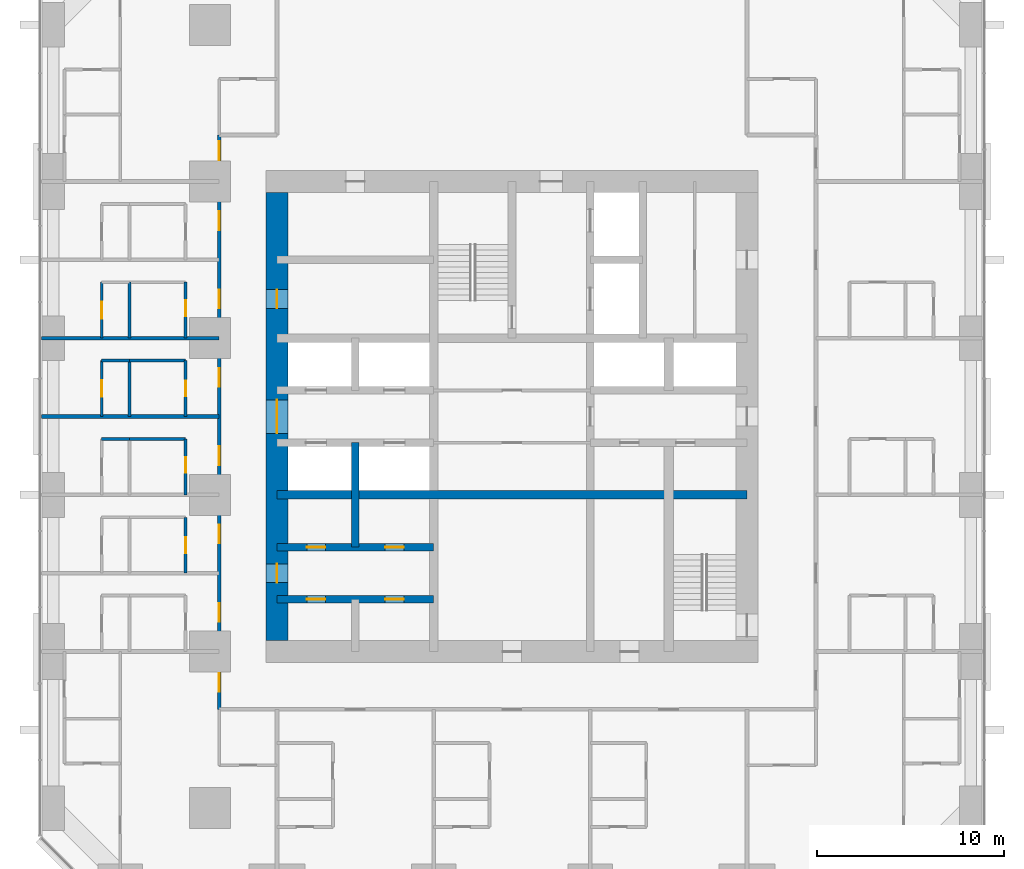
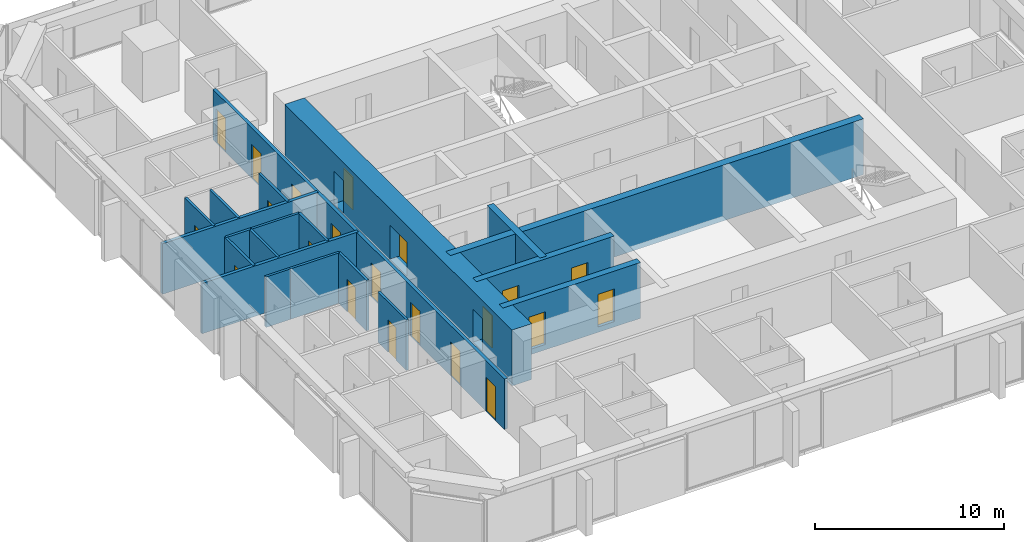
# One storey, part 9 of 13: 21 doors, 20 walls, 21 openings.
"""IFC4 building model written with IfcOpenShell, lengths in metres."""

from ifc_helpers import new_model, si_unit, direction, frame, frame_2d, origin, place, context, subcontext, project, spatial, rectangle, extrude, material, layer, layer_set, type_object, element, fill, save


model = new_model("IFC4")

# Units and contexts
model_context = context("Model", 3, precision=1e-05, world=origin(), true_north=direction((0.0, 1.0)))
body_context = subcontext(model_context, "Body", "Model", "MODEL_VIEW")
ifc_project = project(units=[si_unit("LENGTHUNIT", "METRE"), si_unit("AREAUNIT", "SQUARE_METRE"), si_unit("VOLUMEUNIT", "CUBIC_METRE"), si_unit("PLANEANGLEUNIT", "RADIAN"), si_unit("MASSUNIT", "GRAM", prefix="KILO")], contexts=[model_context])

# Site, building, storey
site_placement = place(None, origin())
site = spatial("IfcSite", under=ifc_project, at=site_placement, CompositionType="ELEMENT")
building_placement = place(site_placement, origin())
building = spatial("IfcBuilding", under=site, at=building_placement, Name="Dunama Terrace Hotel", CompositionType="ELEMENT")
storey_placement = place(building_placement, frame((0.0, 0.0, 162.60009765625)))
storey = spatial("IfcBuildingStorey", under=building, at=storey_placement, Name="L41", CompositionType="ELEMENT", Elevation=162.60009765625)

# Wall, opening, door
ifc_material_1 = material(Name="Gypsum board partition", Category="masonry")
ifc_layer_1 = layer(ifc_material_1, 0.14990234375)
ifc_layer_set_1 = layer_set([ifc_layer_1], Name="Bathroom partition 150")
wall_type_1 = type_object("IfcWallType", Name="Bathroom partition 150", PredefinedType="PARTITIONING", material=ifc_layer_set_1)
wall_1_placement = place(storey_placement, frame((11.89990234375, 21.0, 0.0), z_axis=(0.0, 0.0, 1.0), x_axis=(0.0, 1.0, 0.0)))
wall_1 = element("IfcWall", 1, at=wall_1_placement, inside=storey, type_object=wall_type_1, Name="Bathroom partition 150 L41", PredefinedType="PARTITIONING", context=body_context, shape_type="SweptSolid", body=[
    extrude(rectangle(XDim=3.0, YDim=0.14990234375, at=frame_2d((1.5, 0.0))), origin(), (0.0, 0.0, 1.0), 3.25),
])
opening_1_placement = place(wall_1_placement, frame((1.074951171875, 0.0, 0.0)))
opening_1 = element("IfcOpeningElement", 2, at=opening_1_placement, cuts=wall_1, Name="Opening L41-031", PredefinedType="OPENING", context=body_context, shape_type="SweptSolid", body=[
    extrude(rectangle(XDim=0.85009765625, YDim=2.10009765625, at=frame_2d((0.425048828125, 1.050048828125))), frame((0.0, 0.0849609375, 0.0), z_axis=(0.0, -1.0, 0.0), x_axis=(1.0, 0.0, 0.0)), (0.0, 0.0, 1.0), 0.169921875),
])
ifc_material_2 = material(Name="Timber door with steel frame", Category="steel")
door_type_1 = type_object("IfcDoorType", Name="Bathroom door 850", OperationType="SINGLE_SWING_LEFT", PredefinedType="DOOR", material=ifc_material_2)
door_1_placement = place(opening_1_placement, origin())
door_1 = element("IfcDoor", 3, at=door_1_placement, inside=storey, type_object=door_type_1, Name="Door to en-suite bathroom L41-031, type D2", OperationType="SINGLE_SWING_LEFT", OverallHeight=2.10009765625, OverallWidth=0.85009765625, PredefinedType="DOOR", context=body_context, shape_type="SweptSolid", body=[
    extrude(rectangle(XDim=0.85009765625, YDim=2.10009765625, at=frame_2d((0.425048828125, 1.050048828125))), frame((0.0, 0.02490234375, 0.0), z_axis=(0.0, -1.0, 0.0), x_axis=(1.0, 0.0, 0.0)), (0.0, 0.0, 1.0), 0.050048828125),
])
fill(opening_1, door_1)

wall_2_placement = place(storey_placement, frame((11.89990234375, 25.199951171875, 0.0), z_axis=(0.0, 0.0, 1.0), x_axis=(0.0, 1.0, 0.0)))
wall_2 = element("IfcWall", 4, at=wall_2_placement, inside=storey, type_object=wall_type_1, Name="Bathroom partition 150 L41", PredefinedType="PARTITIONING", context=body_context, shape_type="SweptSolid", body=[
    extrude(rectangle(XDim=3.0, YDim=0.14990234375, at=frame_2d((1.5, 0.0))), origin(), (0.0, 0.0, 1.0), 3.25),
])
opening_2_placement = place(wall_2_placement, frame((1.175048828125, 0.0, 0.0)))
opening_2 = element("IfcOpeningElement", 5, at=opening_2_placement, cuts=wall_2, Name="Opening L41-034", PredefinedType="OPENING", context=body_context, shape_type="SweptSolid", body=[
    extrude(rectangle(XDim=0.85009765625, YDim=2.10009765625, at=frame_2d((0.425048828125, 1.050048828125))), frame((0.0, 0.0849609375, 0.0), z_axis=(0.0, -1.0, 0.0), x_axis=(1.0, 0.0, 0.0)), (0.0, 0.0, 1.0), 0.169921875),
])
door_2_placement = place(opening_2_placement, origin())
door_2 = element("IfcDoor", 6, at=door_2_placement, inside=storey, type_object=door_type_1, Name="Door to en-suite bathroom L41-034, type D2", OperationType="SINGLE_SWING_LEFT", OverallHeight=2.10009765625, OverallWidth=0.85009765625, PredefinedType="DOOR", context=body_context, shape_type="SweptSolid", body=[
    extrude(rectangle(XDim=0.85009765625, YDim=2.10009765625, at=frame_2d((0.425048828125, 1.050048828125))), frame((0.0, 0.02490234375, 0.0), z_axis=(0.0, -1.0, 0.0), x_axis=(1.0, 0.0, 0.0)), (0.0, 0.0, 1.0), 0.050048828125),
])
fill(opening_2, door_2)

wall_3_placement = place(storey_placement, frame((11.89990234375, 29.39990234375, 0.0), z_axis=(0.0, 0.0, 1.0), x_axis=(0.0, 1.0, 0.0)))
wall_3 = element("IfcWall", 7, at=wall_3_placement, inside=storey, type_object=wall_type_1, Name="Bathroom partition 150 L41", PredefinedType="PARTITIONING", context=body_context, shape_type="SweptSolid", body=[
    extrude(rectangle(XDim=3.0, YDim=0.14990234375, at=frame_2d((1.5, 0.0))), origin(), (0.0, 0.0, 1.0), 3.25),
])
opening_3_placement = place(wall_3_placement, frame((1.074951171875, 0.0, 0.0)))
opening_3 = element("IfcOpeningElement", 8, at=opening_3_placement, cuts=wall_3, Name="Opening L41-037", PredefinedType="OPENING", context=body_context, shape_type="SweptSolid", body=[
    extrude(rectangle(XDim=0.85009765625, YDim=2.10009765625, at=frame_2d((0.425048828125, 1.050048828125))), frame((0.0, 0.0849609375, 0.0), z_axis=(0.0, -1.0, 0.0), x_axis=(1.0, 0.0, 0.0)), (0.0, 0.0, 1.0), 0.169921875),
])
door_3_placement = place(opening_3_placement, origin())
door_3 = element("IfcDoor", 9, at=door_3_placement, inside=storey, type_object=door_type_1, Name="Door to en-suite bathroom L41-037, type D2", OperationType="SINGLE_SWING_LEFT", OverallHeight=2.10009765625, OverallWidth=0.85009765625, PredefinedType="DOOR", context=body_context, shape_type="SweptSolid", body=[
    extrude(rectangle(XDim=0.85009765625, YDim=2.10009765625, at=frame_2d((0.425048828125, 1.050048828125))), frame((0.0, 0.02490234375, 0.0), z_axis=(0.0, -1.0, 0.0), x_axis=(1.0, 0.0, 0.0)), (0.0, 0.0, 1.0), 0.050048828125),
])
fill(opening_3, door_3)

wall_4_placement = place(storey_placement, frame((11.89990234375, 33.60009765625, 0.0), z_axis=(0.0, 0.0, 1.0), x_axis=(0.0, 1.0, 0.0)))
wall_4 = element("IfcWall", 10, at=wall_4_placement, inside=storey, type_object=wall_type_1, Name="Bathroom partition 150 L41", PredefinedType="PARTITIONING", context=body_context, shape_type="SweptSolid", body=[
    extrude(rectangle(XDim=3.0, YDim=0.14990234375, at=frame_2d((1.5, 0.0))), origin(), (0.0, 0.0, 1.0), 3.25),
])
opening_4_placement = place(wall_4_placement, frame((1.175048828125, 0.0, 0.0)))
opening_4 = element("IfcOpeningElement", 11, at=opening_4_placement, cuts=wall_4, Name="Opening L41-040", PredefinedType="OPENING", context=body_context, shape_type="SweptSolid", body=[
    extrude(rectangle(XDim=0.85009765625, YDim=2.10009765625, at=frame_2d((0.425048828125, 1.050048828125))), frame((0.0, 0.0849609375, 0.0), z_axis=(0.0, -1.0, 0.0), x_axis=(1.0, 0.0, 0.0)), (0.0, 0.0, 1.0), 0.169921875),
])
door_4_placement = place(opening_4_placement, origin())
door_4 = element("IfcDoor", 12, at=door_4_placement, inside=storey, type_object=door_type_1, Name="Door to en-suite bathroom L41-040, type D2", OperationType="SINGLE_SWING_LEFT", OverallHeight=2.10009765625, OverallWidth=0.85009765625, PredefinedType="DOOR", context=body_context, shape_type="SweptSolid", body=[
    extrude(rectangle(XDim=0.85009765625, YDim=2.10009765625, at=frame_2d((0.425048828125, 1.050048828125))), frame((0.0, 0.02490234375, 0.0), z_axis=(0.0, -1.0, 0.0), x_axis=(1.0, 0.0, 0.0)), (0.0, 0.0, 1.0), 0.050048828125),
])
fill(opening_4, door_4)

# Walls
for number, where, z_axis, x_axis, name in (
    (13, (8.89990234375, 28.199951171875, 0.0), (0.0, 0.0, 1.0), (1.0, 0.0, 0.0), "Bathroom partition 150 L41"),
    (14, (8.89990234375, 32.39990234375, 0.0), (0.0, 0.0, 1.0), (1.0, 0.0, 0.0), "Bathroom partition 150 L41"),
):
    element("IfcWall", number, at=place(storey_placement, frame(where, z_axis=z_axis, x_axis=x_axis)), inside=storey, type_object=wall_type_1, Name=name, PredefinedType="PARTITIONING", context=body_context, shape_type="SweptSolid", body=[
        extrude(rectangle(XDim=3.0, YDim=0.14990234375, at=frame_2d((1.5, 0.0))), origin(), (0.0, 0.0, 1.0), 3.25),
    ])
ifc_material_3 = material(Name="Concrete C50/60", Category="concrete")
ifc_layer_2 = layer(ifc_material_3, 0.39990234375)
ifc_layer_set_2 = layer_set([ifc_layer_2], Name="Core inner wall 400")
wall_type_2 = type_object("IfcWallType", Name="Core inner wall 400", PredefinedType="SHEAR", material=ifc_layer_set_2)
wall_5_placement = place(storey_placement, frame((21.0, 22.39990234375, -0.35009765625), z_axis=(0.0, 0.0, 1.0), x_axis=(0.0, 1.0, 0.0)))
element("IfcWall", 15, at=wall_5_placement, inside=storey, type_object=wall_type_2, Name="Core inner wall 400 L41", PredefinedType="SHEAR", context=body_context, shape_type="SweptSolid", body=[
    extrude(rectangle(XDim=5.60009765625, YDim=0.39990234375, at=frame_2d((2.800048828125, 0.0))), origin(), (0.0, 0.0, 1.0), 3.60009765625),
])

# Wall, openings, doors
wall_6_placement = place(storey_placement, frame((16.800048828125, 19.60009765625, -0.35009765625), z_axis=(0.0, 0.0, 1.0), x_axis=(1.0, 0.0, 0.0)))
wall_6 = element("IfcWall", 16, at=wall_6_placement, inside=storey, type_object=wall_type_2, Name="Core inner wall 400 L41", PredefinedType="SHEAR", context=body_context, shape_type="SweptSolid", body=[
    extrude(rectangle(XDim=8.39990234375, YDim=0.39990234375, at=frame_2d((4.199951171875, 0.0))), origin(), (0.0, 0.0, 1.0), 3.60009765625),
])
opening_5_placement = place(wall_6_placement, frame((1.60009765625, 0.0, 0.35009765625)))
opening_5 = element("IfcOpeningElement", 17, at=opening_5_placement, cuts=wall_6, Name="Opening L41-066", PredefinedType="OPENING", context=body_context, shape_type="SweptSolid", body=[
    extrude(rectangle(XDim=1.0, YDim=2.10009765625, at=frame_2d((0.5, 1.050048828125))), frame((0.0, 0.2099609375, 0.0), z_axis=(0.0, -1.0, 0.0), x_axis=(1.0, 0.0, 0.0)), (0.0, 0.0, 1.0), 0.419921875),
])
opening_6_placement = place(wall_6_placement, frame((5.800048828125, 0.0, 0.35009765625)))
opening_6 = element("IfcOpeningElement", 18, at=opening_6_placement, cuts=wall_6, Name="Opening L41-067", PredefinedType="OPENING", context=body_context, shape_type="SweptSolid", body=[
    extrude(rectangle(XDim=1.0, YDim=2.10009765625, at=frame_2d((0.5, 1.050048828125))), frame((0.0, 0.2099609375, 0.0), z_axis=(0.0, -1.0, 0.0), x_axis=(1.0, 0.0, 0.0)), (0.0, 0.0, 1.0), 0.419921875),
])
ifc_material_4 = material(Name="Timber door with steel frame", Category="steel")
door_type_2 = type_object("IfcDoorType", Name="Service door 1000", OperationType="SINGLE_SWING_LEFT", PredefinedType="DOOR", material=ifc_material_4)
door_5_placement = place(opening_5_placement, frame((1.0, 0.0, 0.0), z_axis=(0.0, 0.0, 1.0), x_axis=(-1.0, 0.0, 0.0)))
door_5 = element("IfcDoor", 19, at=door_5_placement, inside=storey, type_object=door_type_2, Name="Door to service riser L41-066, type D7", OperationType="SINGLE_SWING_RIGHT", OverallHeight=2.10009765625, OverallWidth=1.0, PredefinedType="DOOR", context=body_context, shape_type="SweptSolid", body=[
    extrude(rectangle(XDim=1.0, YDim=2.10009765625, at=frame_2d((0.5, 1.050048828125))), frame((0.0, 0.025146484375, 0.0), z_axis=(0.0, -1.0, 0.0), x_axis=(1.0, 0.0, 0.0)), (0.0, 0.0, 1.0), 0.050048828125),
])
fill(opening_5, door_5)
door_6_placement = place(opening_6_placement, frame((1.0, 0.0, 0.0), z_axis=(0.0, 0.0, 1.0), x_axis=(-1.0, 0.0, 0.0)))
door_6 = element("IfcDoor", 20, at=door_6_placement, inside=storey, type_object=door_type_2, Name="Door to staff break room L41-067, type D7", OperationType="SINGLE_SWING_RIGHT", OverallHeight=2.10009765625, OverallWidth=1.0, PredefinedType="DOOR", context=body_context, shape_type="SweptSolid", body=[
    extrude(rectangle(XDim=1.0, YDim=2.10009765625, at=frame_2d((0.5, 1.050048828125))), frame((0.0, 0.025146484375, 0.0), z_axis=(0.0, -1.0, 0.0), x_axis=(1.0, 0.0, 0.0)), (0.0, 0.0, 1.0), 0.050048828125),
])
fill(opening_6, door_6)

wall_7_placement = place(storey_placement, frame((16.800048828125, 22.39990234375, -0.35009765625), z_axis=(0.0, 0.0, 1.0), x_axis=(1.0, 0.0, 0.0)))
wall_7 = element("IfcWall", 21, at=wall_7_placement, inside=storey, type_object=wall_type_2, Name="Core inner wall 400 L41", PredefinedType="SHEAR", context=body_context, shape_type="SweptSolid", body=[
    extrude(rectangle(XDim=8.39990234375, YDim=0.39990234375, at=frame_2d((4.199951171875, 0.0))), origin(), (0.0, 0.0, 1.0), 3.60009765625),
])
opening_7_placement = place(wall_7_placement, frame((1.60009765625, 0.0, 0.35009765625)))
opening_7 = element("IfcOpeningElement", 22, at=opening_7_placement, cuts=wall_7, Name="Opening L41-068", PredefinedType="OPENING", context=body_context, shape_type="SweptSolid", body=[
    extrude(rectangle(XDim=1.0, YDim=2.10009765625, at=frame_2d((0.5, 1.050048828125))), frame((0.0, 0.2099609375, 0.0), z_axis=(0.0, -1.0, 0.0), x_axis=(1.0, 0.0, 0.0)), (0.0, 0.0, 1.0), 0.419921875),
])
opening_8_placement = place(wall_7_placement, frame((5.800048828125, 0.0, 0.35009765625)))
opening_8 = element("IfcOpeningElement", 23, at=opening_8_placement, cuts=wall_7, Name="Opening L41-069", PredefinedType="OPENING", context=body_context, shape_type="SweptSolid", body=[
    extrude(rectangle(XDim=1.0, YDim=2.10009765625, at=frame_2d((0.5, 1.050048828125))), frame((0.0, 0.2099609375, 0.0), z_axis=(0.0, -1.0, 0.0), x_axis=(1.0, 0.0, 0.0)), (0.0, 0.0, 1.0), 0.419921875),
])
door_7_placement = place(opening_7_placement, origin())
door_7 = element("IfcDoor", 24, at=door_7_placement, inside=storey, type_object=door_type_2, Name="Door to staff accessible wc L41-068, type D7", OperationType="SINGLE_SWING_LEFT", OverallHeight=2.10009765625, OverallWidth=1.0, PredefinedType="DOOR", context=body_context, shape_type="SweptSolid", body=[
    extrude(rectangle(XDim=1.0, YDim=2.10009765625, at=frame_2d((0.5, 1.050048828125))), frame((0.0, 0.02490234375, 0.0), z_axis=(0.0, -1.0, 0.0), x_axis=(1.0, 0.0, 0.0)), (0.0, 0.0, 1.0), 0.050048828125),
])
fill(opening_7, door_7)
door_8_placement = place(opening_8_placement, origin())
door_8 = element("IfcDoor", 25, at=door_8_placement, inside=storey, type_object=door_type_2, Name="Door to cleaners store L41-069, type D7", OperationType="SINGLE_SWING_RIGHT", OverallHeight=2.10009765625, OverallWidth=1.0, PredefinedType="DOOR", context=body_context, shape_type="SweptSolid", body=[
    extrude(rectangle(XDim=1.0, YDim=2.10009765625, at=frame_2d((0.5, 1.050048828125))), frame((0.0, 0.02490234375, 0.0), z_axis=(0.0, -1.0, 0.0), x_axis=(1.0, 0.0, 0.0)), (0.0, 0.0, 1.0), 0.050048828125),
])
fill(opening_8, door_8)

# Wall
ifc_material_5 = material(Name="Concrete C50/60", Category="concrete")
ifc_layer_3 = layer(ifc_material_5, 0.449951171875)
ifc_layer_set_3 = layer_set([ifc_layer_3], Name="Core inner wall 450")
wall_type_3 = type_object("IfcWallType", Name="Core inner wall 450", PredefinedType="SHEAR", material=ifc_layer_set_3)
wall_8_placement = place(storey_placement, frame((16.800048828125, 25.199951171875, -0.35009765625), z_axis=(0.0, 0.0, 1.0), x_axis=(1.0, 0.0, 0.0)))
element("IfcWall", 26, at=wall_8_placement, inside=storey, type_object=wall_type_3, Name="Core inner wall 450 L41", PredefinedType="SHEAR", context=body_context, shape_type="SweptSolid", body=[
    extrude(rectangle(XDim=25.199951171875, YDim=0.449951171875, at=frame_2d((12.60009765625, 0.0))), origin(), (0.0, 0.0, 1.0), 3.60009765625),
])

# Wall, openings, doors
ifc_material_6 = material(Name="Concrete C60/75", Category="concrete")
ifc_layer_4 = layer(ifc_material_6, 1.199951171875)
ifc_layer_set_4 = layer_set([ifc_layer_4], Name="Core wall 1200")
wall_type_4 = type_object("IfcWallType", Name="Core wall 1200", PredefinedType="SHEAR", material=ifc_layer_set_4)
wall_9_placement = place(storey_placement, frame((16.800048828125, 41.39990234375, -0.35009765625), z_axis=(0.0, 0.0, 1.0), x_axis=(0.0, -1.0, 0.0)))
wall_9 = element("IfcWall", 27, at=wall_9_placement, inside=storey, type_object=wall_type_4, Name="Core wall west L41", PredefinedType="SHEAR", context=body_context, shape_type="SweptSolid", body=[
    extrude(rectangle(XDim=24.0, YDim=1.199951171875, at=frame_2d((12.0, 0.0))), origin(), (0.0, 0.0, 1.0), 3.60009765625),
])
opening_9_placement = place(wall_9_placement, frame((11.10009765625, 0.0, 0.35009765625)))
opening_9 = element("IfcOpeningElement", 28, at=opening_9_placement, cuts=wall_9, Name="Opening L41-065", PredefinedType="OPENING", context=body_context, shape_type="SweptSolid", body=[
    extrude(rectangle(XDim=1.800048828125, YDim=2.199951171875, at=frame_2d((0.89990234375, 1.10009765625))), frame((0.0, 0.60986328125, 0.0), z_axis=(0.0, -1.0, 0.0), x_axis=(1.0, 0.0, 0.0)), (0.0, 0.0, 1.0), 1.219970703125),
])
opening_10_placement = place(wall_9_placement, frame((19.89990234375, 0.0, 0.35009765625)))
opening_10 = element("IfcOpeningElement", 29, at=opening_10_placement, cuts=wall_9, Name="Opening L41-070", PredefinedType="OPENING", context=body_context, shape_type="SweptSolid", body=[
    extrude(rectangle(XDim=1.0, YDim=2.10009765625, at=frame_2d((0.5, 1.050048828125))), frame((0.0, 0.60986328125, 0.0), z_axis=(0.0, -1.0, 0.0), x_axis=(1.0, 0.0, 0.0)), (0.0, 0.0, 1.0), 1.219970703125),
])
opening_11_placement = place(wall_9_placement, frame((5.199951171875, 0.0, 0.35009765625)))
opening_11 = element("IfcOpeningElement", 30, at=opening_11_placement, cuts=wall_9, Name="Opening L41-071", PredefinedType="OPENING", context=body_context, shape_type="SweptSolid", body=[
    extrude(rectangle(XDim=1.0, YDim=2.10009765625, at=frame_2d((0.5, 1.050048828125))), frame((0.0, 0.60986328125, 0.0), z_axis=(0.0, -1.0, 0.0), x_axis=(1.0, 0.0, 0.0)), (0.0, 0.0, 1.0), 1.219970703125),
])
ifc_material_7 = material(Name="Timber door with steel frame", Category="steel")
door_type_3 = type_object("IfcDoorType", Name="Lift lobby double door 1800", OperationType="DOUBLE_DOOR_DOUBLE_SWING", PredefinedType="DOOR", material=ifc_material_7)
door_9_placement = place(opening_9_placement, origin())
door_9 = element("IfcDoor", 31, at=door_9_placement, inside=storey, type_object=door_type_3, Name="Door to lift lobby L41-065, type D3", OperationType="DOUBLE_DOOR_DOUBLE_SWING", OverallHeight=2.199951171875, OverallWidth=1.800048828125, PredefinedType="DOOR", context=body_context, shape_type="SweptSolid", body=[
    extrude(rectangle(XDim=1.800048828125, YDim=2.199951171875, at=frame_2d((0.89990234375, 1.10009765625))), frame((0.0, 0.02490234375, 0.0), z_axis=(0.0, -1.0, 0.0), x_axis=(1.0, 0.0, 0.0)), (0.0, 0.0, 1.0), 0.050048828125),
])
fill(opening_9, door_9)
door_10_placement = place(opening_10_placement, origin())
door_10 = element("IfcDoor", 32, at=door_10_placement, inside=storey, type_object=door_type_2, Name="Door to back-of-house lobby L41-070, type D7", OperationType="SINGLE_SWING_LEFT", OverallHeight=2.10009765625, OverallWidth=1.0, PredefinedType="DOOR", context=body_context, shape_type="SweptSolid", body=[
    extrude(rectangle(XDim=1.0, YDim=2.10009765625, at=frame_2d((0.5, 1.050048828125))), frame((0.0, 0.02490234375, 0.0), z_axis=(0.0, -1.0, 0.0), x_axis=(1.0, 0.0, 0.0)), (0.0, 0.0, 1.0), 0.050048828125),
])
fill(opening_10, door_10)
door_11_placement = place(opening_11_placement, origin())
door_11 = element("IfcDoor", 33, at=door_11_placement, inside=storey, type_object=door_type_2, Name="Door to electrical room L41-071, type D7", OperationType="SINGLE_SWING_RIGHT", OverallHeight=2.10009765625, OverallWidth=1.0, PredefinedType="DOOR", context=body_context, shape_type="SweptSolid", body=[
    extrude(rectangle(XDim=1.0, YDim=2.10009765625, at=frame_2d((0.5, 1.050048828125))), frame((0.0, 0.02490234375, 0.0), z_axis=(0.0, -1.0, 0.0), x_axis=(1.0, 0.0, 0.0)), (0.0, 0.0, 1.0), 0.050048828125),
])
fill(opening_11, door_11)

ifc_material_8 = material(Name="Concrete blockwork", Category="masonry")
ifc_layer_5 = layer(ifc_material_8, 0.199951171875)
ifc_layer_set_5 = layer_set([ifc_layer_5], Name="Corridor partition 200")
wall_type_5 = type_object("IfcWallType", Name="Corridor partition 200", PredefinedType="PARTITIONING", material=ifc_layer_set_5)
wall_10_placement = place(storey_placement, frame((13.699951171875, 13.699951171875, 0.0), z_axis=(0.0, 0.0, 1.0), x_axis=(0.0, 1.0, 0.0)))
wall_10 = element("IfcWall", 34, at=wall_10_placement, inside=storey, type_object=wall_type_5, Name="Corridor partition 200 L41", PredefinedType="PARTITIONING", context=body_context, shape_type="SweptSolid", body=[
    extrude(rectangle(XDim=30.800048828125, YDim=0.199951171875, at=frame_2d((15.39990234375, 0.0))), origin(), (0.0, 0.0, 1.0), 3.25),
])
opening_12_placement = place(wall_10_placement, frame((4.699951171875, 0.0, 0.0)))
opening_12 = element("IfcOpeningElement", 35, at=opening_12_placement, cuts=wall_10, Name="Opening L41-027", PredefinedType="OPENING", context=body_context, shape_type="SweptSolid", body=[
    extrude(rectangle(XDim=1.0, YDim=2.199951171875, at=frame_2d((0.5, 1.10009765625))), frame((0.0, 0.10986328125, 0.0), z_axis=(0.0, -1.0, 0.0), x_axis=(1.0, 0.0, 0.0)), (0.0, 0.0, 1.0), 0.219970703125),
])
opening_13_placement = place(wall_10_placement, frame((8.89990234375, 0.0, 0.0)))
opening_13 = element("IfcOpeningElement", 36, at=opening_13_placement, cuts=wall_10, Name="Opening L41-030", PredefinedType="OPENING", context=body_context, shape_type="SweptSolid", body=[
    extrude(rectangle(XDim=1.0, YDim=2.199951171875, at=frame_2d((0.5, 1.10009765625))), frame((0.0, 0.10986328125, 0.0), z_axis=(0.0, -1.0, 0.0), x_axis=(1.0, 0.0, 0.0)), (0.0, 0.0, 1.0), 0.219970703125),
])
opening_14_placement = place(wall_10_placement, frame((13.10009765625, 0.0, 0.0)))
opening_14 = element("IfcOpeningElement", 37, at=opening_14_placement, cuts=wall_10, Name="Opening L41-033", PredefinedType="OPENING", context=body_context, shape_type="SweptSolid", body=[
    extrude(rectangle(XDim=1.0, YDim=2.199951171875, at=frame_2d((0.5, 1.10009765625))), frame((0.0, 0.10986328125, 0.0), z_axis=(0.0, -1.0, 0.0), x_axis=(1.0, 0.0, 0.0)), (0.0, 0.0, 1.0), 0.219970703125),
])
opening_15_placement = place(wall_10_placement, frame((17.300048828125, 0.0, 0.0)))
opening_15 = element("IfcOpeningElement", 38, at=opening_15_placement, cuts=wall_10, Name="Opening L41-036", PredefinedType="OPENING", context=body_context, shape_type="SweptSolid", body=[
    extrude(rectangle(XDim=1.0, YDim=2.199951171875, at=frame_2d((0.5, 1.10009765625))), frame((0.0, 0.10986328125, 0.0), z_axis=(0.0, -1.0, 0.0), x_axis=(1.0, 0.0, 0.0)), (0.0, 0.0, 1.0), 0.219970703125),
])
opening_16_placement = place(wall_10_placement, frame((21.5, 0.0, 0.0)))
opening_16 = element("IfcOpeningElement", 39, at=opening_16_placement, cuts=wall_10, Name="Opening L41-039", PredefinedType="OPENING", context=body_context, shape_type="SweptSolid", body=[
    extrude(rectangle(XDim=1.0, YDim=2.199951171875, at=frame_2d((0.5, 1.10009765625))), frame((0.0, 0.10986328125, 0.0), z_axis=(0.0, -1.0, 0.0), x_axis=(1.0, 0.0, 0.0)), (0.0, 0.0, 1.0), 0.219970703125),
])
opening_17_placement = place(wall_10_placement, frame((25.699951171875, 0.0, 0.0)))
opening_17 = element("IfcOpeningElement", 40, at=opening_17_placement, cuts=wall_10, Name="Opening L41-042", PredefinedType="OPENING", context=body_context, shape_type="SweptSolid", body=[
    extrude(rectangle(XDim=1.0, YDim=2.199951171875, at=frame_2d((0.5, 1.10009765625))), frame((0.0, 0.10986328125, 0.0), z_axis=(0.0, -1.0, 0.0), x_axis=(1.0, 0.0, 0.0)), (0.0, 0.0, 1.0), 0.219970703125),
])
opening_18_placement = place(wall_10_placement, frame((0.949951171875, 0.0, 0.0)))
opening_18 = element("IfcOpeningElement", 41, at=opening_18_placement, cuts=wall_10, Name="Opening L41-045", PredefinedType="OPENING", context=body_context, shape_type="SweptSolid", body=[
    extrude(rectangle(XDim=1.0, YDim=2.199951171875, at=frame_2d((0.5, 1.10009765625))), frame((0.0, 0.10986328125, 0.0), z_axis=(0.0, -1.0, 0.0), x_axis=(1.0, 0.0, 0.0)), (0.0, 0.0, 1.0), 0.219970703125),
])
opening_19_placement = place(wall_10_placement, frame((29.449951171875, 0.0, 0.0)))
opening_19 = element("IfcOpeningElement", 42, at=opening_19_placement, cuts=wall_10, Name="Opening L41-060", PredefinedType="OPENING", context=body_context, shape_type="SweptSolid", body=[
    extrude(rectangle(XDim=1.0, YDim=2.199951171875, at=frame_2d((0.5, 1.10009765625))), frame((0.0, 0.10986328125, 0.0), z_axis=(0.0, -1.0, 0.0), x_axis=(1.0, 0.0, 0.0)), (0.0, 0.0, 1.0), 0.219970703125),
])
ifc_material_9 = material(Name="Timber door with steel frame", Category="steel")
door_type_4 = type_object("IfcDoorType", Name="Guest room door 1000", OperationType="SINGLE_SWING_LEFT", PredefinedType="DOOR", material=ifc_material_9)
door_12_placement = place(opening_12_placement, origin())
door_12 = element("IfcDoor", 43, at=door_12_placement, inside=storey, type_object=door_type_4, Name="Door to club room L41-027, type D1", OperationType="SINGLE_SWING_LEFT", OverallHeight=2.199951171875, OverallWidth=1.0, PredefinedType="DOOR", context=body_context, shape_type="SweptSolid", body=[
    extrude(rectangle(XDim=1.0, YDim=2.199951171875, at=frame_2d((0.5, 1.10009765625))), frame((0.0, 0.02490234375, 0.0), z_axis=(0.0, -1.0, 0.0), x_axis=(1.0, 0.0, 0.0)), (0.0, 0.0, 1.0), 0.050048828125),
])
fill(opening_12, door_12)
door_13_placement = place(opening_13_placement, origin())
door_13 = element("IfcDoor", 44, at=door_13_placement, inside=storey, type_object=door_type_4, Name="Door to club room L41-030, type D1", OperationType="SINGLE_SWING_RIGHT", OverallHeight=2.199951171875, OverallWidth=1.0, PredefinedType="DOOR", context=body_context, shape_type="SweptSolid", body=[
    extrude(rectangle(XDim=1.0, YDim=2.199951171875, at=frame_2d((0.5, 1.10009765625))), frame((0.0, 0.02490234375, 0.0), z_axis=(0.0, -1.0, 0.0), x_axis=(1.0, 0.0, 0.0)), (0.0, 0.0, 1.0), 0.050048828125),
])
fill(opening_13, door_13)
door_14_placement = place(opening_14_placement, origin())
door_14 = element("IfcDoor", 45, at=door_14_placement, inside=storey, type_object=door_type_4, Name="Door to club room L41-033, type D1", OperationType="SINGLE_SWING_LEFT", OverallHeight=2.199951171875, OverallWidth=1.0, PredefinedType="DOOR", context=body_context, shape_type="SweptSolid", body=[
    extrude(rectangle(XDim=1.0, YDim=2.199951171875, at=frame_2d((0.5, 1.10009765625))), frame((0.0, 0.02490234375, 0.0), z_axis=(0.0, -1.0, 0.0), x_axis=(1.0, 0.0, 0.0)), (0.0, 0.0, 1.0), 0.050048828125),
])
fill(opening_14, door_14)
door_15_placement = place(opening_15_placement, origin())
door_15 = element("IfcDoor", 46, at=door_15_placement, inside=storey, type_object=door_type_4, Name="Door to club room L41-036, type D1", OperationType="SINGLE_SWING_RIGHT", OverallHeight=2.199951171875, OverallWidth=1.0, PredefinedType="DOOR", context=body_context, shape_type="SweptSolid", body=[
    extrude(rectangle(XDim=1.0, YDim=2.199951171875, at=frame_2d((0.5, 1.10009765625))), frame((0.0, 0.02490234375, 0.0), z_axis=(0.0, -1.0, 0.0), x_axis=(1.0, 0.0, 0.0)), (0.0, 0.0, 1.0), 0.050048828125),
])
fill(opening_15, door_15)
door_16_placement = place(opening_16_placement, origin())
door_16 = element("IfcDoor", 47, at=door_16_placement, inside=storey, type_object=door_type_4, Name="Door to club room L41-039, type D1", OperationType="SINGLE_SWING_LEFT", OverallHeight=2.199951171875, OverallWidth=1.0, PredefinedType="DOOR", context=body_context, shape_type="SweptSolid", body=[
    extrude(rectangle(XDim=1.0, YDim=2.199951171875, at=frame_2d((0.5, 1.10009765625))), frame((0.0, 0.02490234375, 0.0), z_axis=(0.0, -1.0, 0.0), x_axis=(1.0, 0.0, 0.0)), (0.0, 0.0, 1.0), 0.050048828125),
])
fill(opening_16, door_16)
door_17_placement = place(opening_17_placement, origin())
door_17 = element("IfcDoor", 48, at=door_17_placement, inside=storey, type_object=door_type_4, Name="Door to club room L41-042, type D1", OperationType="SINGLE_SWING_RIGHT", OverallHeight=2.199951171875, OverallWidth=1.0, PredefinedType="DOOR", context=body_context, shape_type="SweptSolid", body=[
    extrude(rectangle(XDim=1.0, YDim=2.199951171875, at=frame_2d((0.5, 1.10009765625))), frame((0.0, 0.02490234375, 0.0), z_axis=(0.0, -1.0, 0.0), x_axis=(1.0, 0.0, 0.0)), (0.0, 0.0, 1.0), 0.050048828125),
])
fill(opening_17, door_17)
door_18_placement = place(opening_18_placement, origin())
door_18 = element("IfcDoor", 49, at=door_18_placement, inside=storey, type_object=door_type_4, Name="Door to corner suite living room L41-045, type D1", OperationType="SINGLE_SWING_RIGHT", OverallHeight=2.199951171875, OverallWidth=1.0, PredefinedType="DOOR", context=body_context, shape_type="SweptSolid", body=[
    extrude(rectangle(XDim=1.0, YDim=2.199951171875, at=frame_2d((0.5, 1.10009765625))), frame((0.0, 0.02490234375, 0.0), z_axis=(0.0, -1.0, 0.0), x_axis=(1.0, 0.0, 0.0)), (0.0, 0.0, 1.0), 0.050048828125),
])
fill(opening_18, door_18)
door_19_placement = place(opening_19_placement, origin())
door_19 = element("IfcDoor", 50, at=door_19_placement, inside=storey, type_object=door_type_4, Name="Door to corner suite living room L41-060, type D1", OperationType="SINGLE_SWING_LEFT", OverallHeight=2.199951171875, OverallWidth=1.0, PredefinedType="DOOR", context=body_context, shape_type="SweptSolid", body=[
    extrude(rectangle(XDim=1.0, YDim=2.199951171875, at=frame_2d((0.5, 1.10009765625))), frame((0.0, 0.02490234375, 0.0), z_axis=(0.0, -1.0, 0.0), x_axis=(1.0, 0.0, 0.0)), (0.0, 0.0, 1.0), 0.050048828125),
])
fill(opening_19, door_19)

# Walls
ifc_material_10 = material(Name="Concrete blockwork", Category="masonry")
ifc_layer_6 = layer(ifc_material_10, 0.199951171875)
ifc_layer_set_6 = layer_set([ifc_layer_6], Name="Party wall 200")
wall_type_6 = type_object("IfcWallType", Name="Party wall 200", PredefinedType="PARTITIONING", material=ifc_layer_set_6)
for number, where, z_axis, x_axis, name in (
    (51, (4.181884765625, 29.39990234375, 0.0), (0.0, 0.0, 1.0), (1.0, 0.0, 0.0), "Party wall 200 L41"),
    (52, (4.181884765625, 33.60009765625, 0.0), (0.0, 0.0, 1.0), (1.0, 0.0, 0.0), "Party wall 200 L41"),
):
    element("IfcWall", number, at=place(storey_placement, frame(where, z_axis=z_axis, x_axis=x_axis)), inside=storey, type_object=wall_type_6, Name=name, PredefinedType="PARTITIONING", context=body_context, shape_type="SweptSolid", body=[
        extrude(rectangle(XDim=9.51806640625, YDim=0.199951171875, at=frame_2d((4.759033203125, 0.0))), origin(), (0.0, 0.0, 1.0), 3.25),
    ])

# Wall, opening, door
ifc_material_11 = material(Name="Gypsum board partition", Category="masonry")
ifc_layer_7 = layer(ifc_material_11, 0.14990234375)
ifc_layer_set_7 = layer_set([ifc_layer_7], Name="Room partition 150")
wall_type_7 = type_object("IfcWallType", Name="Room partition 150", PredefinedType="PARTITIONING", material=ifc_layer_set_7)
wall_11_placement = place(storey_placement, frame((7.39990234375, 29.39990234375, 0.0), z_axis=(0.0, 0.0, 1.0), x_axis=(0.0, 1.0, 0.0)))
wall_11 = element("IfcWall", 53, at=wall_11_placement, inside=storey, type_object=wall_type_7, Name="Room partition 150 L41", PredefinedType="PARTITIONING", context=body_context, shape_type="SweptSolid", body=[
    extrude(rectangle(XDim=3.0, YDim=0.14990234375, at=frame_2d((1.5, 0.0))), origin(), (0.0, 0.0, 1.0), 3.25),
])
opening_20_placement = place(wall_11_placement, frame((1.050048828125, 0.0, 0.0)))
opening_20 = element("IfcOpeningElement", 54, at=opening_20_placement, cuts=wall_11, Name="Opening L41-038", PredefinedType="OPENING", context=body_context, shape_type="SweptSolid", body=[
    extrude(rectangle(XDim=0.89990234375, YDim=2.10009765625, at=frame_2d((0.449951171875, 1.050048828125))), frame((0.0, 0.0849609375, 0.0), z_axis=(0.0, -1.0, 0.0), x_axis=(1.0, 0.0, 0.0)), (0.0, 0.0, 1.0), 0.169921875),
])
ifc_material_12 = material(Name="Timber door with steel frame", Category="steel")
door_type_5 = type_object("IfcDoorType", Name="Suite internal door 900", OperationType="SINGLE_SWING_LEFT", PredefinedType="DOOR", material=ifc_material_12)
door_20_placement = place(opening_20_placement, frame((0.89990234375, 0.0, 0.0), z_axis=(0.0, 0.0, 1.0), x_axis=(-1.0, 0.0, 0.0)))
door_20 = element("IfcDoor", 55, at=door_20_placement, inside=storey, type_object=door_type_5, Name="Door to walk-in wardrobe L41-038, type D16", OperationType="SINGLE_SWING_RIGHT", OverallHeight=2.10009765625, OverallWidth=0.89990234375, PredefinedType="DOOR", context=body_context, shape_type="SweptSolid", body=[
    extrude(rectangle(XDim=0.89990234375, YDim=2.10009765625, at=frame_2d((0.449951171875, 1.050048828125))), frame((0.0, 0.025146484375, 0.0), z_axis=(0.0, -1.0, 0.0), x_axis=(1.0, 0.0, 0.0)), (0.0, 0.0, 1.0), 0.050048828125),
])
fill(opening_20, door_20)

wall_12_placement = place(storey_placement, frame((7.39990234375, 33.60009765625, 0.0), z_axis=(0.0, 0.0, 1.0), x_axis=(0.0, 1.0, 0.0)))
wall_12 = element("IfcWall", 56, at=wall_12_placement, inside=storey, type_object=wall_type_7, Name="Room partition 150 L41", PredefinedType="PARTITIONING", context=body_context, shape_type="SweptSolid", body=[
    extrude(rectangle(XDim=3.0, YDim=0.14990234375, at=frame_2d((1.5, 0.0))), origin(), (0.0, 0.0, 1.0), 3.25),
])
opening_21_placement = place(wall_12_placement, frame((1.050048828125, 0.0, 0.0)))
opening_21 = element("IfcOpeningElement", 57, at=opening_21_placement, cuts=wall_12, Name="Opening L41-041", PredefinedType="OPENING", context=body_context, shape_type="SweptSolid", body=[
    extrude(rectangle(XDim=0.89990234375, YDim=2.10009765625, at=frame_2d((0.449951171875, 1.050048828125))), frame((0.0, 0.0849609375, 0.0), z_axis=(0.0, -1.0, 0.0), x_axis=(1.0, 0.0, 0.0)), (0.0, 0.0, 1.0), 0.169921875),
])
door_21_placement = place(opening_21_placement, frame((0.89990234375, 0.0, 0.0), z_axis=(0.0, 0.0, 1.0), x_axis=(-1.0, 0.0, 0.0)))
door_21 = element("IfcDoor", 58, at=door_21_placement, inside=storey, type_object=door_type_5, Name="Door to walk-in wardrobe L41-041, type D16", OperationType="SINGLE_SWING_RIGHT", OverallHeight=2.10009765625, OverallWidth=0.89990234375, PredefinedType="DOOR", context=body_context, shape_type="SweptSolid", body=[
    extrude(rectangle(XDim=0.89990234375, YDim=2.10009765625, at=frame_2d((0.449951171875, 1.050048828125))), frame((0.0, 0.025146484375, 0.0), z_axis=(0.0, -1.0, 0.0), x_axis=(1.0, 0.0, 0.0)), (0.0, 0.0, 1.0), 0.050048828125),
])
fill(opening_21, door_21)

# Walls
for number, where, z_axis, x_axis, name in (
    (59, (8.89990234375, 29.39990234375, 0.0), (0.0, 0.0, 1.0), (0.0, 1.0, 0.0), "Room partition 150 L41"),
    (60, (8.89990234375, 33.60009765625, 0.0), (0.0, 0.0, 1.0), (0.0, 1.0, 0.0), "Room partition 150 L41"),
):
    element("IfcWall", number, at=place(storey_placement, frame(where, z_axis=z_axis, x_axis=x_axis)), inside=storey, type_object=wall_type_7, Name=name, PredefinedType="PARTITIONING", context=body_context, shape_type="SweptSolid", body=[
        extrude(rectangle(XDim=3.0, YDim=0.14990234375, at=frame_2d((1.5, 0.0))), origin(), (0.0, 0.0, 1.0), 3.25),
    ])
for number, where, z_axis, x_axis, name in (
    (61, (7.39990234375, 28.199951171875, 0.0), (0.0, 0.0, 1.0), (1.0, 0.0, 0.0), "Room partition 150 L41"),
    (62, (7.39990234375, 32.39990234375, 0.0), (0.0, 0.0, 1.0), (1.0, 0.0, 0.0), "Room partition 150 L41"),
):
    element("IfcWall", number, at=place(storey_placement, frame(where, z_axis=z_axis, x_axis=x_axis)), inside=storey, type_object=wall_type_7, Name=name, PredefinedType="PARTITIONING", context=body_context, shape_type="SweptSolid", body=[
        extrude(rectangle(XDim=1.5, YDim=0.14990234375, at=frame_2d((0.75, 0.0))), origin(), (0.0, 0.0, 1.0), 3.25),
    ])

save(model, "model.ifc")
